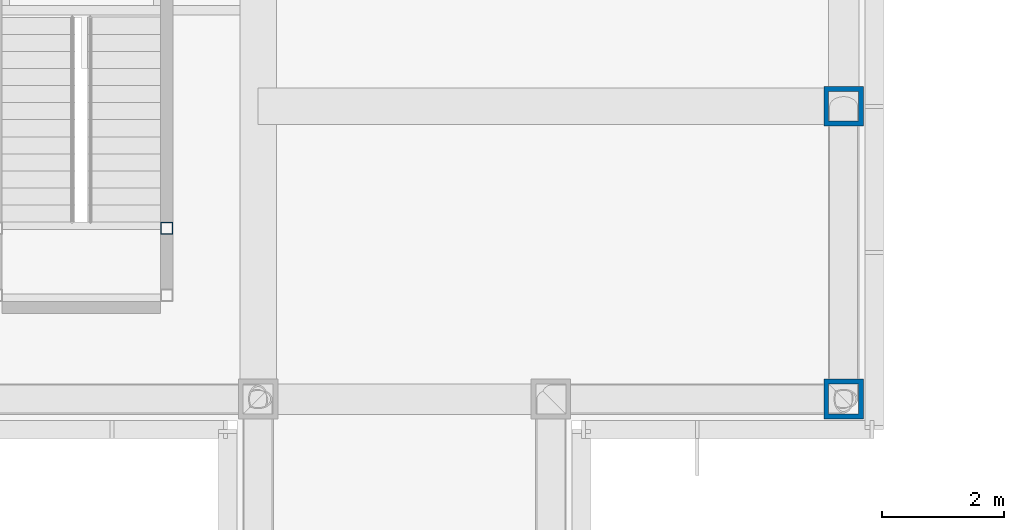
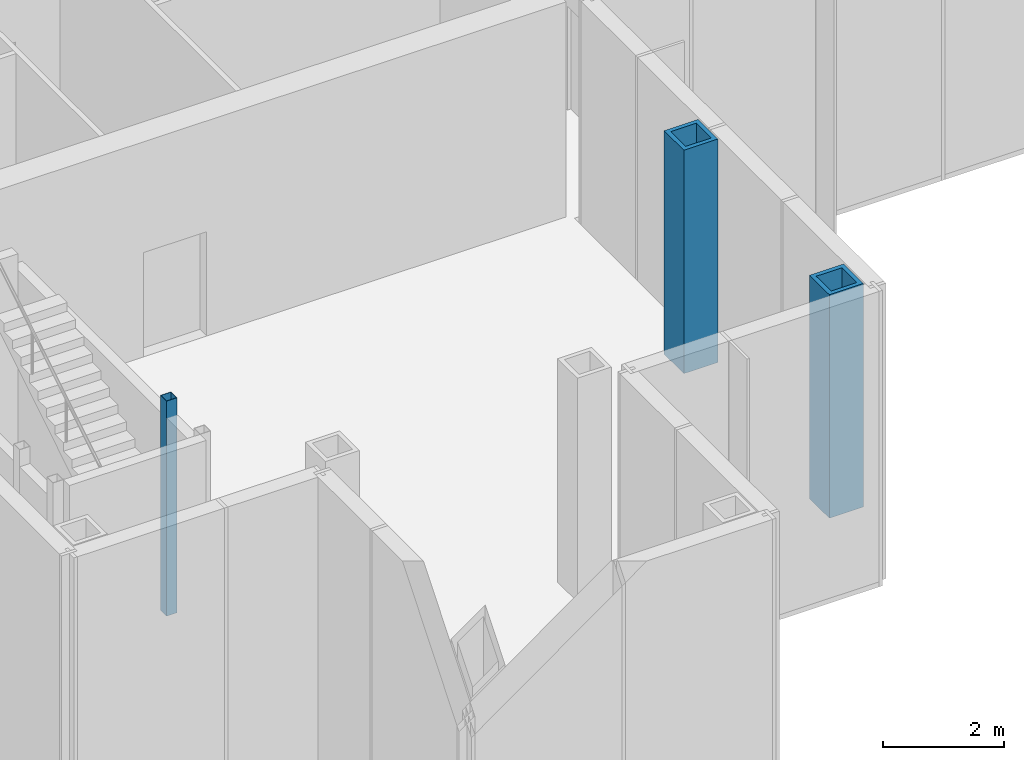
# One storey, part 2 of 13: 3 columns.
"""IFC4 building model written with IfcOpenShell, lengths in metres."""

from ifc_helpers import new_model, si_unit, direction, frame, origin, origin_2d, place, context, subcontext, project, spatial, hollow_rectangle, extrude, material, material_profile, profile_set, type_object, element, save


model = new_model("IFC4")

# Units and contexts
model_context = context("Model", 3, precision=1e-05, world=origin(), true_north=direction((0.0, 1.0)))
body_context = subcontext(model_context, "Body", "Model", "MODEL_VIEW")
ifc_project = project(units=[si_unit("LENGTHUNIT", "METRE"), si_unit("AREAUNIT", "SQUARE_METRE"), si_unit("VOLUMEUNIT", "CUBIC_METRE"), si_unit("PLANEANGLEUNIT", "RADIAN"), si_unit("MASSUNIT", "GRAM", prefix="KILO")], contexts=[model_context])

# Site, building, storey
site_placement = place(None, origin())
site = spatial("IfcSite", under=ifc_project, at=site_placement, CompositionType="ELEMENT")
building_placement = place(site_placement, origin())
building = spatial("IfcBuilding", under=site, at=building_placement, Name="Kvirike Care Tower", CompositionType="ELEMENT")
storey_placement = place(building_placement, frame((0.0, 0.0, 190.0)))
storey = spatial("IfcBuildingStorey", under=building, at=storey_placement, Name="L52", CompositionType="ELEMENT", Elevation=190.0)

# Columns
ifc_material_1 = material(Name="Steel S460", Category="steel")
ifc_material_profile_1 = material_profile(ifc_material_1, hollow_rectangle(XDim=0.64990234375, YDim=0.64990234375, WallThickness=0.080078125, at=origin_2d()), Name="BX 650x650x80")
ifc_profile_set_1 = profile_set([ifc_material_profile_1], Name="Steel S460")
column_type_1 = type_object("IfcColumnType", Name="COLUMN BX 650x650x80", PredefinedType="COLUMN", material=ifc_profile_set_1)
for number, where, z_axis, x_axis, name in (
    (1, (28.800048828125, 19.199951171875, 0.0), (0.0, 0.0, 1.0), (0.0, 1.0, 0.0), "Column E9 L52"),
    (2, (28.800048828125, 24.0, 0.0), (0.0, 0.0, 1.0), (1.0, 0.0, 0.0), "Column F9 L52"),
):
    element("IfcColumn", number, at=place(storey_placement, frame(where, z_axis=z_axis, x_axis=x_axis)), inside=storey, type_object=column_type_1, Name=name, PredefinedType="COLUMN", context=body_context, shape_type="SweptSolid", body=[
        extrude(hollow_rectangle(XDim=0.64990234375, YDim=0.64990234375, WallThickness=0.080078125, at=origin_2d()), origin(), (0.0, 0.0, 1.0), 4.5),
    ])
ifc_material_2 = material(Name="Steel S460", Category="steel")
ifc_material_profile_2 = material_profile(ifc_material_2, hollow_rectangle(XDim=0.199951171875, YDim=0.199951171875, WallThickness=0.008056640625, at=origin_2d()), Name="SHS 200x200x8")
ifc_profile_set_2 = profile_set([ifc_material_profile_2], Name="Steel S460")
column_type_2 = type_object("IfcColumnType", Name="STAIR POST SHS 200x200x8", PredefinedType="COLUMN", material=ifc_profile_set_2)
column_placement = place(storey_placement, frame((17.699951171875, 22.0, 0.0), z_axis=(0.0, 0.0, 1.0), x_axis=(1.0, 0.0, 0.0)))
element("IfcColumn", 3, at=column_placement, inside=storey, type_object=column_type_2, Name="Stair 5 post 4 L52", PredefinedType="COLUMN", context=body_context, shape_type="SweptSolid", body=[
    extrude(hollow_rectangle(XDim=0.199951171875, YDim=0.199951171875, WallThickness=0.008056640625, at=origin_2d()), origin(), (0.0, 0.0, 1.0), 4.330078125),
])

save(model, "model.ifc")
